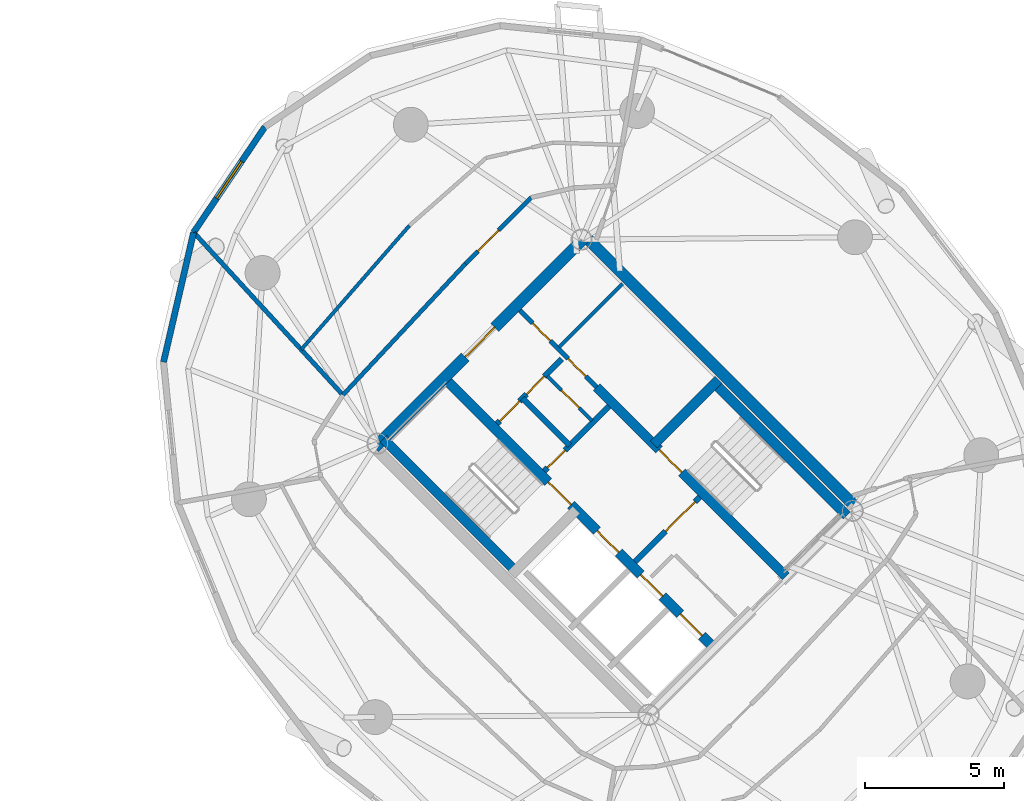
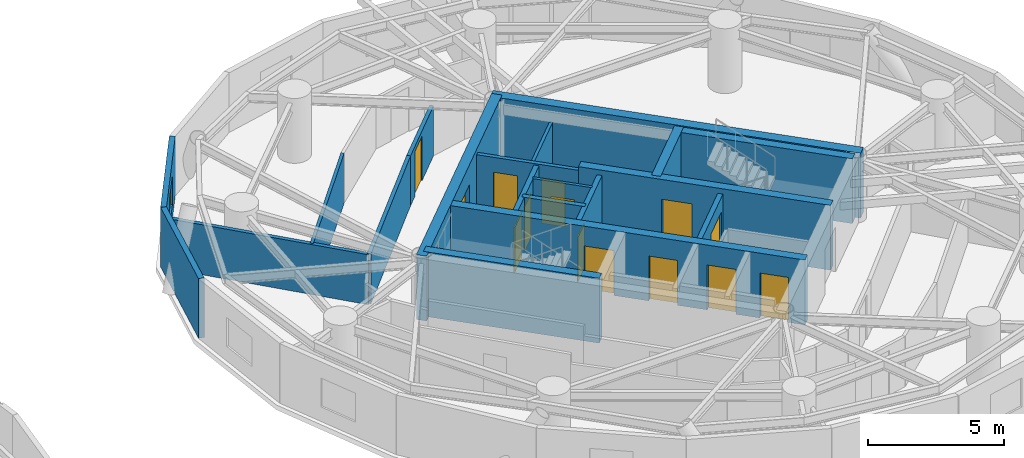
# One storey, part 13 of 17: 20 walls, 14 doors, 1 window, 15 openings.
"""IFC4 building model written with IfcOpenShell, lengths in metres."""

from ifc_helpers import new_model, si_unit, direction, frame, frame_2d, origin, place, context, subcontext, project, spatial, rectangle, extrude, source, transform, mapped, material, layer, layer_set, type_object, element, fill, save


model = new_model("IFC4")

# Units and contexts
model_context = context("Model", 3, precision=1e-05, world=origin(), true_north=direction((0.0, 1.0)))
body_context = subcontext(model_context, "Body", "Model", "MODEL_VIEW")
ifc_project = project(units=[si_unit("LENGTHUNIT", "METRE"), si_unit("AREAUNIT", "SQUARE_METRE"), si_unit("VOLUMEUNIT", "CUBIC_METRE"), si_unit("PLANEANGLEUNIT", "RADIAN"), si_unit("MASSUNIT", "GRAM", prefix="KILO")], contexts=[model_context])

# Site, building, storey
site_placement = place(None, origin())
site = spatial("IfcSite", under=ifc_project, at=site_placement, CompositionType="ELEMENT")
building_placement = place(site_placement, origin())
building = spatial("IfcBuilding", under=site, at=building_placement, Name="Cununo Teusaquillo Station Towers", CompositionType="ELEMENT")
storey_placement = place(building_placement, frame((0.0, 0.0, 166.14990234375)))
storey = spatial("IfcBuildingStorey", under=building, at=storey_placement, Name="L52", CompositionType="ELEMENT", Elevation=166.14990234375)

# Wall, openings, doors
ifc_material_1 = material(Name="Concrete C50/60", Category="concrete")
ifc_layer_1 = layer(ifc_material_1, 0.35009765625)
ifc_layer_set_1 = layer_set([ifc_layer_1], Name="Concrete C50/60")
wall_type_1 = type_object("IfcWallType", Name="WL-CORE-350", PredefinedType="SHEAR", material=ifc_layer_set_1)
wall_1_placement = place(storey_placement, frame((61.060302734375, 18.372802734375, 0.0), z_axis=(0.0, 0.0, 1.0), x_axis=(-0.707106781187, 0.707106781187, 0.0)))
wall_1 = element("IfcWall", 1, at=wall_1_placement, inside=storey, type_object=wall_type_1, Name="L52 Tower B Core Shear Wall IW", PredefinedType="SHEAR", context=body_context, shape_type="SweptSolid", body=[
    extrude(rectangle(XDim=13.7001953125, YDim=0.35009765625, at=frame_2d((6.85009765625, 0.0))), origin(), (0.0, 0.0, 1.0), 2.91015625),
])
shared_shape_1 = source(origin(), body_context, "Body", "SweptSolid", [
    extrude(rectangle(XDim=1.10009765625, YDim=2.014892578125, at=frame_2d((0.550048828125, 1.00732421875))), frame((0.0, 0.18505859375, 0.0), z_axis=(0.0, -1.0, 0.0), x_axis=(1.0, 0.0, 0.0)), (0.0, 0.0, 1.0), 0.3701171875),
])
opening_1_placement = place(wall_1_placement, frame((4.85009765625, 0.0, 0.0)))
opening_1 = element("IfcOpeningElement", 2, at=opening_1_placement, cuts=wall_1, Name="Opening LD-01", PredefinedType="OPENING", context=body_context, shape_type="MappedRepresentation", body=[
    mapped(shared_shape_1, transform((0.0, 0.0, 0.0), x_axis=(1.0, 0.0, 0.0), y_axis=(0.0, 1.0, 0.0), z_axis=(0.0, 0.0, 1.0), scale=1.0)),
])
opening_2_placement = place(wall_1_placement, frame((0.625, 0.0, 0.0)))
opening_2 = element("IfcOpeningElement", 3, at=opening_2_placement, cuts=wall_1, Name="Opening LD-01", PredefinedType="OPENING", context=body_context, shape_type="MappedRepresentation", body=[
    mapped(shared_shape_1, transform((0.0, 0.0, 0.0), x_axis=(1.0, 0.0, 0.0), y_axis=(0.0, 1.0, 0.0), z_axis=(0.0, 0.0, 1.0), scale=1.0)),
])
opening_3_placement = place(wall_1_placement, frame((2.625, 0.0, 0.0)))
opening_3 = element("IfcOpeningElement", 4, at=opening_3_placement, cuts=wall_1, Name="Opening LD-01", PredefinedType="OPENING", context=body_context, shape_type="MappedRepresentation", body=[
    mapped(shared_shape_1, transform((0.0, 0.0, 0.0), x_axis=(1.0, 0.0, 0.0), y_axis=(0.0, 1.0, 0.0), z_axis=(0.0, 0.0, 1.0), scale=1.0)),
])
shared_shape_2 = source(origin(), body_context, "Body", "SweptSolid", [
    extrude(rectangle(XDim=1.14990234375, YDim=2.02001953125, at=frame_2d((0.574951171875, 1.010009765625))), frame((0.0, 0.18505859375, 0.0), z_axis=(0.0, -1.0, 0.0), x_axis=(1.0, 0.0, 0.0)), (0.0, 0.0, 1.0), 0.3701171875),
])
opening_4_placement = place(wall_1_placement, frame((7.27001953125, 0.0, 0.0)))
opening_4 = element("IfcOpeningElement", 5, at=opening_4_placement, cuts=wall_1, Name="Opening D-ST1", PredefinedType="OPENING", context=body_context, shape_type="MappedRepresentation", body=[
    mapped(shared_shape_2, transform((0.0, 0.0, 0.0), x_axis=(1.0, 0.0, 0.0), y_axis=(0.0, 1.0, 0.0), z_axis=(0.0, 0.0, 1.0), scale=1.0)),
])
ifc_material_2 = material(Name="Galvanised fire-rated hollow steel door assembly", Category="steel")
door_type_1 = type_object("IfcDoorType", Name="DR-LIFT-1100", OperationType="SLIDING_TO_LEFT", PredefinedType="DOOR", material=ifc_material_2)
shared_shape_3 = source(origin(), body_context, "Body", "SweptSolid", [
    extrude(rectangle(XDim=1.10009765625, YDim=2.014892578125, at=frame_2d((0.550048828125, 1.00732421875))), frame((0.0, 0.02490234375, 0.0), z_axis=(0.0, -1.0, 0.0), x_axis=(1.0, 0.0, 0.0)), (0.0, 0.0, 1.0), 0.050048828125),
])
door_1_placement = place(opening_1_placement, origin())
door_1 = element("IfcDoor", 6, at=door_1_placement, inside=storey, type_object=door_type_1, Name="L52 Lift FL-T2 Sliding Landing Door", OperationType="SLIDING_TO_RIGHT", OverallHeight=2.014892578125, OverallWidth=1.10009765625, PredefinedType="DOOR", context=body_context, shape_type="MappedRepresentation", body=[
    mapped(shared_shape_3, transform((0.0, 0.0, 0.0), x_axis=(1.0, 0.0, 0.0), y_axis=(0.0, 1.0, 0.0), z_axis=(0.0, 0.0, 1.0), scale=1.0)),
])
fill(opening_1, door_1)
door_2_placement = place(opening_2_placement, origin())
door_2 = element("IfcDoor", 7, at=door_2_placement, inside=storey, type_object=door_type_1, Name="L52 Lift PL-T2-H1 Sliding Landing Door", OperationType="SLIDING_TO_LEFT", OverallHeight=2.014892578125, OverallWidth=1.10009765625, PredefinedType="DOOR", context=body_context, shape_type="MappedRepresentation", body=[
    mapped(shared_shape_3, transform((0.0, 0.0, 0.0), x_axis=(1.0, 0.0, 0.0), y_axis=(0.0, 1.0, 0.0), z_axis=(0.0, 0.0, 1.0), scale=1.0)),
])
fill(opening_2, door_2)
door_3_placement = place(opening_3_placement, origin())
door_3 = element("IfcDoor", 8, at=door_3_placement, inside=storey, type_object=door_type_1, Name="L52 Lift PL-T2-H2 Sliding Landing Door", OperationType="SLIDING_TO_RIGHT", OverallHeight=2.014892578125, OverallWidth=1.10009765625, PredefinedType="DOOR", context=body_context, shape_type="MappedRepresentation", body=[
    mapped(shared_shape_3, transform((0.0, 0.0, 0.0), x_axis=(1.0, 0.0, 0.0), y_axis=(0.0, 1.0, 0.0), z_axis=(0.0, 0.0, 1.0), scale=1.0)),
])
fill(opening_3, door_3)
ifc_material_3 = material(Name="Galvanised fire-rated hollow steel door assembly", Category="steel")
door_type_2 = type_object("IfcDoorType", Name="DR-STAIR-1150", OperationType="NOTDEFINED", PredefinedType="DOOR", material=ifc_material_3)
shared_shape_4 = source(origin(), body_context, "Body", "SweptSolid", [
    extrude(rectangle(XDim=1.14990234375, YDim=2.02001953125, at=frame_2d((0.574951171875, 1.010009765625))), frame((0.0, 0.02490234375, 0.0), z_axis=(0.0, -1.0, 0.0), x_axis=(1.0, 0.0, 0.0)), (0.0, 0.0, 1.0), 0.050048828125),
])
door_4_placement = place(opening_4_placement, origin())
door_4 = element("IfcDoor", 9, at=door_4_placement, inside=storey, type_object=door_type_2, Name="L52 Tower B Exit Stair 1 Fire Door", OperationType="SINGLE_SWING_LEFT", OverallHeight=2.02001953125, OverallWidth=1.14990234375, PredefinedType="DOOR", context=body_context, shape_type="MappedRepresentation", body=[
    mapped(shared_shape_4, transform((0.0, 0.0, 0.0), x_axis=(1.0, 0.0, 0.0), y_axis=(0.0, 1.0, 0.0), z_axis=(0.0, 0.0, 1.0), scale=1.0)),
])
fill(opening_4, door_4)

# Wall, opening, door
wall_2_placement = place(storey_placement, frame((63.627197265625, 20.939697265625, 0.0), z_axis=(0.0, 0.0, 1.0), x_axis=(-0.707119496762, 0.707094065383, 0.0)))
wall_2 = element("IfcWall", 10, at=wall_2_placement, inside=storey, type_object=wall_type_1, Name="L52 Tower B Core Shear Wall IE", PredefinedType="SHEAR", context=body_context, shape_type="SweptSolid", body=[
    extrude(rectangle(XDim=9.60009765625, YDim=0.35009765625, at=frame_2d((4.800048828125, 0.0))), origin(), (0.0, 0.0, 1.0), 2.91015625),
])
opening_5_placement = place(wall_2_placement, frame((5.280029296875, 0.0, 0.0)))
opening_5 = element("IfcOpeningElement", 11, at=opening_5_placement, cuts=wall_2, Name="Opening D-ST1", PredefinedType="OPENING", context=body_context, shape_type="MappedRepresentation", body=[
    mapped(shared_shape_2, transform((0.0, 0.0, 0.0), x_axis=(1.0, 0.0, 0.0), y_axis=(0.0, 1.0, 0.0), z_axis=(0.0, 0.0, 1.0), scale=1.0)),
])
door_5_placement = place(opening_5_placement, origin())
door_5 = element("IfcDoor", 12, at=door_5_placement, inside=storey, type_object=door_type_2, Name="L52 Tower B Exit Stair 2 Fire Door", OperationType="SINGLE_SWING_RIGHT", OverallHeight=2.02001953125, OverallWidth=1.14990234375, PredefinedType="DOOR", context=body_context, shape_type="MappedRepresentation", body=[
    mapped(shared_shape_4, transform((0.0, 0.0, 0.0), x_axis=(1.0, 0.0, 0.0), y_axis=(0.0, 1.0, 0.0), z_axis=(0.0, 0.0, 1.0), scale=1.0)),
])
fill(opening_5, door_5)

# Walls
for number, where, z_axis, x_axis, name in (
    (13, (53.922119140625, 21.14111328125, 0.0), (0.0, 0.0, 1.0), (-0.707106781187, 0.707106781187, 0.0), "L52 Tower B Core Shear Wall ST1W"),
    (14, (65.81201171875, 23.124755859375, 0.0), (0.0, 0.0, 1.0), (-0.707106781187, 0.707106781187, 0.0), "L52 Tower B Core Shear Wall ST2E"),
):
    element("IfcWall", number, at=place(storey_placement, frame(where, z_axis=z_axis, x_axis=x_axis)), inside=storey, type_object=wall_type_1, Name=name, PredefinedType="SHEAR", context=body_context, shape_type="SweptSolid", body=[
        extrude(rectangle(XDim=6.695068359375, YDim=0.35009765625, at=frame_2d((3.34765625, 0.0))), origin(), (0.0, 0.0, 1.0), 2.91015625),
    ])
wall_3_placement = place(storey_placement, frame((58.89306640625, 25.673828125, 0.0), z_axis=(0.0, 0.0, 1.0), x_axis=(0.707106781187, 0.707106781187, 0.0)))
element("IfcWall", 15, at=wall_3_placement, inside=storey, type_object=wall_type_1, Name="L52 Tower B Core Shear Wall ST2N", PredefinedType="SHEAR", context=body_context, shape_type="SweptSolid", body=[
    extrude(rectangle(XDim=3.284912109375, YDim=0.35009765625, at=frame_2d((1.642578125, 0.0))), origin(), (0.0, 0.0, 1.0), 2.91015625),
])
ifc_material_4 = material(Name="Concrete C50/60", Category="concrete")
ifc_layer_2 = layer(ifc_material_4, 0.39990234375)
ifc_layer_set_2 = layer_set([ifc_layer_2], Name="Concrete C50/60")
wall_type_2 = type_object("IfcWallType", Name="WL-CORE-400", PredefinedType="SHEAR", material=ifc_layer_set_2)
wall_4_placement = place(storey_placement, frame((66.26806640625, 23.2978515625, 0.0), z_axis=(0.0, 0.0, 1.0), x_axis=(-0.707106781187, 0.707106781187, 0.0)))
element("IfcWall", 16, at=wall_4_placement, inside=storey, type_object=wall_type_2, Name="L52 Tower B Core Shear Wall E", PredefinedType="SHEAR", context=body_context, shape_type="SweptSolid", body=[
    extrude(rectangle(XDim=14.10009765625, YDim=0.39990234375, at=frame_2d((7.050048828125, 0.0))), origin(), (0.0, 0.0, 1.0), 2.91015625),
])

# Wall, opening, door
wall_5_placement = place(storey_placement, frame((48.873291015625, 25.560791015625, 0.0), z_axis=(0.0, 0.0, 1.0), x_axis=(0.707106781187, 0.707106781187, 0.0)))
wall_5 = element("IfcWall", 17, at=wall_5_placement, inside=storey, type_object=wall_type_2, Name="L52 Tower B Core Shear Wall N", PredefinedType="SHEAR", context=body_context, shape_type="SweptSolid", body=[
    extrude(rectangle(XDim=10.69970703125, YDim=0.39990234375, at=frame_2d((5.349853515625, 0.0))), origin(), (0.0, 0.0, 1.0), 2.91015625),
])
shared_shape_5 = source(origin(), body_context, "Body", "SweptSolid", [
    extrude(rectangle(XDim=1.5, YDim=2.02001953125, at=frame_2d((0.75, 1.010009765625))), frame((0.0, 0.2099609375, 0.0), z_axis=(0.0, -1.0, 0.0), x_axis=(1.0, 0.0, 0.0)), (0.0, 0.0, 1.0), 0.419921875),
])
opening_6_placement = place(wall_5_placement, frame((4.60009765625, 0.0, 0.0)))
opening_6 = element("IfcOpeningElement", 18, at=opening_6_placement, cuts=wall_5, Name="Opening D-LB1", PredefinedType="OPENING", context=body_context, shape_type="MappedRepresentation", body=[
    mapped(shared_shape_5, transform((0.0, 0.0, 0.0), x_axis=(1.0, 0.0, 0.0), y_axis=(0.0, 1.0, 0.0), z_axis=(0.0, 0.0, 1.0), scale=1.0)),
])
ifc_material_5 = material(Name="Galvanised fire-rated hollow steel door assembly", Category="steel")
door_type_3 = type_object("IfcDoorType", Name="DR-LOBBY-1500", OperationType="DOUBLE_DOOR_SINGLE_SWING", PredefinedType="DOOR", material=ifc_material_5)
shared_shape_6 = source(origin(), body_context, "Body", "SweptSolid", [
    extrude(rectangle(XDim=1.5, YDim=2.02001953125, at=frame_2d((0.75, 1.010009765625))), frame((0.0, 0.02490234375, 0.0), z_axis=(0.0, -1.0, 0.0), x_axis=(1.0, 0.0, 0.0)), (0.0, 0.0, 1.0), 0.050048828125),
])
door_6_placement = place(opening_6_placement, origin())
door_6 = element("IfcDoor", 19, at=door_6_placement, inside=storey, type_object=door_type_3, Name="L52 Tower B North Core Lift Lobby Door", OperationType="DOUBLE_DOOR_SINGLE_SWING", OverallHeight=2.02001953125, OverallWidth=1.5, PredefinedType="DOOR", context=body_context, shape_type="MappedRepresentation", body=[
    mapped(shared_shape_6, transform((0.0, 0.0, 0.0), x_axis=(1.0, 0.0, 0.0), y_axis=(0.0, 1.0, 0.0), z_axis=(0.0, 0.0, 1.0), scale=1.0)),
])
fill(opening_6, door_6)

# Wall, opening, window
ifc_material_6 = material(Name="Precast concrete C40/50", Category="concrete")
ifc_layer_3 = layer(ifc_material_6, 0.219970703125)
ifc_layer_set_3 = layer_set([ifc_layer_3], Name="Precast concrete C40/50")
wall_type_3 = type_object("IfcWallType", Name="WL-EXT-220", PredefinedType="SOLIDWALL", material=ifc_layer_set_3)
wall_6_placement = place(storey_placement, frame((42.3779296875, 33.27880859375, 0.0), z_axis=(0.0, 0.0, 1.0), x_axis=(0.559635286042, 0.828739009952, 0.0)))
wall_6 = element("IfcWall", 20, at=wall_6_placement, inside=storey, type_object=wall_type_3, Name="L52 Tower B Exterior Facade Wall C05", PredefinedType="SOLIDWALL", context=body_context, shape_type="SweptSolid", body=[
    extrude(rectangle(XDim=4.56884765625, YDim=0.219970703125, at=frame_2d((2.284423828125, 0.0))), origin(), (0.0, 0.0, 1.0), 2.675048828125),
])
shared_shape_7 = source(origin(), body_context, "Body", "SweptSolid", [
    extrude(rectangle(XDim=1.60009765625, YDim=1.300048828125, at=frame_2d((0.800048828125, 0.64990234375))), frame((0.0, 0.119873046875, 0.0), z_axis=(0.0, -1.0, 0.0), x_axis=(1.0, 0.0, 0.0)), (0.0, 0.0, 1.0), 0.239990234375),
])
opening_7_placement = place(wall_6_placement, frame((1.48388671875, 0.0, 0.64990234375)))
opening_7 = element("IfcOpeningElement", 21, at=opening_7_placement, cuts=wall_6, Name="Opening WN-03", PredefinedType="OPENING", context=body_context, shape_type="MappedRepresentation", body=[
    mapped(shared_shape_7, transform((0.0, 0.0, 0.0), x_axis=(1.0, 0.0, 0.0), y_axis=(0.0, 1.0, 0.0), z_axis=(0.0, 0.0, 1.0), scale=1.0)),
])
ifc_material_7 = material(Name="Ceramic-fritted dark low-E double glazing", Category="glass")
window_type = type_object("IfcWindowType", Name="WIN-CORN-1600", PartitioningType="SINGLE_PANEL", PredefinedType="WINDOW", material=ifc_material_7)
shared_shape_8 = source(origin(), body_context, "Body", "SweptSolid", [
    extrude(rectangle(XDim=1.60009765625, YDim=1.300048828125, at=frame_2d((0.800048828125, 0.64990234375))), frame((0.0, 0.030029296875, 0.0), z_axis=(0.0, -1.0, 0.0), x_axis=(1.0, 0.0, 0.0)), (0.0, 0.0, 1.0), 0.06005859375),
])
window_placement = place(opening_7_placement, origin())
window = element("IfcWindow", 22, at=window_placement, inside=storey, type_object=window_type, Name="L52 Tower B Facade Window C05", OverallHeight=1.300048828125, OverallWidth=1.60009765625, PartitioningType="SINGLE_PANEL", PredefinedType="WINDOW", context=body_context, shape_type="MappedRepresentation", body=[
    mapped(shared_shape_8, transform((0.0, 0.0, 0.0), x_axis=(1.0, 0.0, 0.0), y_axis=(0.0, 1.0, 0.0), z_axis=(0.0, 0.0, 1.0), scale=1.0)),
])
fill(opening_7, window)

# Wall
wall_7_placement = place(storey_placement, frame((41.3017578125, 28.6328125, 0.0), z_axis=(0.0, 0.0, 1.0), x_axis=(0.225659540039, 0.974206226622, 0.0)))
element("IfcWall", 23, at=wall_7_placement, inside=storey, type_object=wall_type_3, Name="L52 Tower B Exterior Facade Wall C06", PredefinedType="SOLIDWALL", context=body_context, shape_type="SweptSolid", body=[
    extrude(rectangle(XDim=4.76904296875, YDim=0.219970703125, at=frame_2d((2.384521484375, 0.0))), origin(), (0.0, 0.0, 1.0), 2.675048828125),
])

# Wall, opening, door
ifc_material_8 = material(Name="Fire-rated gypsum plasterboard partition assembly", Category="gypsum")
ifc_layer_4 = layer(ifc_material_8, 0.125)
ifc_layer_set_4 = layer_set([ifc_layer_4], Name="Fire-rated gypsum plasterboard partition assembly")
wall_type_4 = type_object("IfcWallType", Name="WL-PART-125", PredefinedType="PARTITIONING", material=ifc_layer_set_4)
wall_8_placement = place(storey_placement, frame((56.672607421875, 26.529296875, 0.0), z_axis=(0.0, 0.0, 1.0), x_axis=(-0.707052764397, 0.70716079385, 0.0)))
wall_8 = element("IfcWall", 24, at=wall_8_placement, inside=storey, type_object=wall_type_4, Name="L52 Tower B Core Vertical Split Wall", PredefinedType="PARTITIONING", context=body_context, shape_type="SweptSolid", body=[
    extrude(rectangle(XDim=2.260009765625, YDim=0.125, at=frame_2d((1.1298828125, 0.0))), origin(), (0.0, 0.0, 1.0), 2.675048828125),
])
shared_shape_9 = source(origin(), body_context, "Body", "SweptSolid", [
    extrude(rectangle(XDim=0.89990234375, YDim=2.0048828125, at=frame_2d((0.449951171875, 1.00244140625))), frame((0.0, 0.072509765625, 0.0), z_axis=(0.0, -1.0, 0.0), x_axis=(1.0, 0.0, 0.0)), (0.0, 0.0, 1.0), 0.14501953125),
])
opening_8_placement = place(wall_8_placement, frame((0.64990234375, 0.0, 0.0)))
opening_8 = element("IfcOpeningElement", 25, at=opening_8_placement, cuts=wall_8, Name="Opening D-SR1", PredefinedType="OPENING", context=body_context, shape_type="MappedRepresentation", body=[
    mapped(shared_shape_9, transform((0.0, 0.0, 0.0), x_axis=(1.0, 0.0, 0.0), y_axis=(0.0, 1.0, 0.0), z_axis=(0.0, 0.0, 1.0), scale=1.0)),
])
ifc_material_9 = material(Name="Galvanised fire-rated hollow steel door assembly", Category="steel")
door_type_4 = type_object("IfcDoorType", Name="DR-STORE-900", OperationType="NOTDEFINED", PredefinedType="DOOR", material=ifc_material_9)
shared_shape_10 = source(origin(), body_context, "Body", "SweptSolid", [
    extrude(rectangle(XDim=0.89990234375, YDim=2.0048828125, at=frame_2d((0.449951171875, 1.00244140625))), frame((0.0, 0.02490234375, 0.0), z_axis=(0.0, -1.0, 0.0), x_axis=(1.0, 0.0, 0.0)), (0.0, 0.0, 1.0), 0.050048828125),
])
door_7_placement = place(opening_8_placement, origin())
door_7 = element("IfcDoor", 26, at=door_7_placement, inside=storey, type_object=door_type_4, Name="L52 Tower B Core Electrical Room Door", OperationType="SINGLE_SWING_LEFT", OverallHeight=2.0048828125, OverallWidth=0.89990234375, PredefinedType="DOOR", context=body_context, shape_type="MappedRepresentation", body=[
    mapped(shared_shape_10, transform((0.0, 0.0, 0.0), x_axis=(1.0, 0.0, 0.0), y_axis=(0.0, 1.0, 0.0), z_axis=(0.0, 0.0, 1.0), scale=1.0)),
])
fill(opening_8, door_7)

# Walls
wall_9_placement = place(storey_placement, frame((55.49169921875, 29.1669921875, 0.0), z_axis=(0.0, 0.0, 1.0), x_axis=(0.707144688645, 0.707068871696, 0.0)))
element("IfcWall", 27, at=wall_9_placement, inside=storey, type_object=wall_type_4, Name="L52 Tower B Reclaimed Bay Divider Wall", PredefinedType="PARTITIONING", context=body_context, shape_type="SweptSolid", body=[
    extrude(rectangle(XDim=3.22021484375, YDim=0.125, at=frame_2d((1.610107421875, 0.0))), origin(), (0.0, 0.0, 1.0), 2.212158203125),
])
wall_10_placement = place(storey_placement, frame((50.123046875, 33.529052734375, 0.0), z_axis=(0.0, 0.0, 1.0), x_axis=(-0.657371249324, -0.753566878626, 0.0)))
element("IfcWall", 28, at=wall_10_placement, inside=storey, type_object=wall_type_4, Name="L52 Tower B High-Zone Club Reading & Dining Hall Concentric Partition Wall C05", PredefinedType="PARTITIONING", context=body_context, shape_type="SweptSolid", body=[
    extrude(rectangle(XDim=5.90576171875, YDim=0.125, at=frame_2d((2.952880859375, 0.0))), origin(), (0.0, 0.0, 1.0), 2.2451171875),
])

# Wall, opening, door
ifc_material_10 = material(Name="Fire-rated gypsum plasterboard partition assembly", Category="gypsum")
ifc_layer_5 = layer(ifc_material_10, 0.14990234375)
ifc_layer_set_5 = layer_set([ifc_layer_5], Name="Fire-rated gypsum plasterboard partition assembly")
wall_type_5 = type_object("IfcWallType", Name="WL-PART-150", PredefinedType="PARTITIONING", material=ifc_layer_set_5)
wall_11_placement = place(storey_placement, frame((54.48779296875, 34.534912109375, 0.0), z_axis=(0.0, 0.0, 1.0), x_axis=(-0.703666289339, -0.710530613871, 0.0)))
wall_11 = element("IfcWall", 29, at=wall_11_placement, inside=storey, type_object=wall_type_5, Name="L52 Tower B Corridor Ring Wall C04", PredefinedType="PARTITIONING", context=body_context, shape_type="SweptSolid", body=[
    extrude(rectangle(XDim=3.34326171875, YDim=0.14990234375, at=frame_2d((1.671630859375, 0.0))), origin(), (0.0, 0.0, 1.0), 2.2451171875),
])
shared_shape_11 = source(origin(), body_context, "Body", "SweptSolid", [
    extrude(rectangle(XDim=1.050048828125, YDim=2.014892578125, at=frame_2d((0.52490234375, 1.00732421875))), frame((0.0, 0.0849609375, 0.0), z_axis=(0.0, -1.0, 0.0), x_axis=(1.0, 0.0, 0.0)), (0.0, 0.0, 1.0), 0.169921875),
])
opening_9_placement = place(wall_11_placement, frame((1.659912109375, 0.0, 0.0)))
opening_9 = element("IfcOpeningElement", 30, at=opening_9_placement, cuts=wall_11, Name="Opening D-SU1", PredefinedType="OPENING", context=body_context, shape_type="MappedRepresentation", body=[
    mapped(shared_shape_11, transform((0.0, 0.0, 0.0), x_axis=(1.0, 0.0, 0.0), y_axis=(0.0, 1.0, 0.0), z_axis=(0.0, 0.0, 1.0), scale=1.0)),
])
ifc_material_11 = material(Name="Acoustic solid-core hardwood leaf assembly", Category="wood")
door_type_5 = type_object("IfcDoorType", Name="DR-SUITE-1050", OperationType="NOTDEFINED", PredefinedType="DOOR", material=ifc_material_11)
shared_shape_12 = source(origin(), body_context, "Body", "SweptSolid", [
    extrude(rectangle(XDim=1.050048828125, YDim=2.014892578125, at=frame_2d((0.52490234375, 1.00732421875))), frame((0.0, 0.02490234375, 0.0), z_axis=(0.0, -1.0, 0.0), x_axis=(1.0, 0.0, 0.0)), (0.0, 0.0, 1.0), 0.050048828125),
])
door_8_placement = place(opening_9_placement, origin())
door_8 = element("IfcDoor", 31, at=door_8_placement, inside=storey, type_object=door_type_5, Name="L52 Tower B High-Zone Club Reading & Dining Hall Entrance Door", OperationType="SINGLE_SWING_RIGHT", OverallHeight=2.014892578125, OverallWidth=1.050048828125, PredefinedType="DOOR", context=body_context, shape_type="MappedRepresentation", body=[
    mapped(shared_shape_12, transform((0.0, 0.0, 0.0), x_axis=(1.0, 0.0, 0.0), y_axis=(0.0, 1.0, 0.0), z_axis=(0.0, 0.0, 1.0), scale=1.0)),
])
fill(opening_9, door_8)

# Wall
wall_12_placement = place(storey_placement, frame((52.13525390625, 32.159423828125, 0.0), z_axis=(0.0, 0.0, 1.0), x_axis=(-0.682546302454, -0.730842353047, 0.0)))
element("IfcWall", 32, at=wall_12_placement, inside=storey, type_object=wall_type_5, Name="L52 Tower B Corridor Ring Wall C05", PredefinedType="PARTITIONING", context=body_context, shape_type="SweptSolid", body=[
    extrude(rectangle(XDim=6.4453125, YDim=0.14990234375, at=frame_2d((3.22265625, 0.0))), origin(), (0.0, 0.0, 1.0), 2.2451171875),
])

# Wall, openings, doors
ifc_material_12 = material(Name="Fire-rated gypsum plasterboard partition assembly", Category="gypsum")
ifc_layer_6 = layer(ifc_material_12, 0.159912109375)
ifc_layer_set_6 = layer_set([ifc_layer_6], Name="Fire-rated gypsum plasterboard partition assembly")
wall_type_6 = type_object("IfcWallType", Name="WL-PART-160", PredefinedType="PARTITIONING", material=ifc_layer_set_6)
wall_13_placement = place(storey_placement, frame((56.8388671875, 27.727783203125, 0.0), z_axis=(0.0, 0.0, 1.0), x_axis=(-0.707106781187, 0.707106781187, 0.0)))
wall_13 = element("IfcWall", 33, at=wall_13_placement, inside=storey, type_object=wall_type_6, Name="L52 Tower B Reclaimed Core Bay Entry Wall", PredefinedType="PARTITIONING", context=body_context, shape_type="SweptSolid", body=[
    extrude(rectangle(XDim=3.900146484375, YDim=0.159912109375, at=frame_2d((1.9501953125, 0.0))), origin(), (0.0, 0.0, 1.0), 2.675048828125),
])
shared_shape_13 = source(origin(), body_context, "Body", "SweptSolid", [
    extrude(rectangle(XDim=0.89990234375, YDim=2.0048828125, at=frame_2d((0.449951171875, 1.00244140625))), frame((0.0, 0.08984375, 0.0), z_axis=(0.0, -1.0, 0.0), x_axis=(1.0, 0.0, 0.0)), (0.0, 0.0, 1.0), 0.179931640625),
])
opening_10_placement = place(wall_13_placement, frame((0.550048828125, 0.0, 0.0)))
opening_10 = element("IfcOpeningElement", 34, at=opening_10_placement, cuts=wall_13, Name="Opening D-IN1", PredefinedType="OPENING", context=body_context, shape_type="MappedRepresentation", body=[
    mapped(shared_shape_13, transform((0.0, 0.0, 0.0), x_axis=(1.0, 0.0, 0.0), y_axis=(0.0, 1.0, 0.0), z_axis=(0.0, 0.0, 1.0), scale=1.0)),
])
opening_11_placement = place(wall_13_placement, frame((2.35009765625, 0.0, 0.0)))
opening_11 = element("IfcOpeningElement", 35, at=opening_11_placement, cuts=wall_13, Name="Opening D-IN1", PredefinedType="OPENING", context=body_context, shape_type="MappedRepresentation", body=[
    mapped(shared_shape_13, transform((0.0, 0.0, 0.0), x_axis=(1.0, 0.0, 0.0), y_axis=(0.0, 1.0, 0.0), z_axis=(0.0, 0.0, 1.0), scale=1.0)),
])
ifc_material_13 = material(Name="Acoustic solid-core hardwood leaf assembly", Category="wood")
door_type_6 = type_object("IfcDoorType", Name="DR-INT-900", OperationType="NOTDEFINED", PredefinedType="DOOR", material=ifc_material_13)
door_9_placement = place(opening_10_placement, origin())
door_9 = element("IfcDoor", 36, at=door_9_placement, inside=storey, type_object=door_type_6, Name="L52 Tower B Reclaimed Core Study Door", OperationType="SINGLE_SWING_RIGHT", OverallHeight=2.0048828125, OverallWidth=0.89990234375, PredefinedType="DOOR", context=body_context, shape_type="MappedRepresentation", body=[
    mapped(shared_shape_10, transform((0.0, 0.0, 0.0), x_axis=(1.0, 0.0, 0.0), y_axis=(0.0, 1.0, 0.0), z_axis=(0.0, 0.0, 1.0), scale=1.0)),
])
fill(opening_10, door_9)
door_10_placement = place(opening_11_placement, origin())
door_10 = element("IfcDoor", 37, at=door_10_placement, inside=storey, type_object=door_type_6, Name="L52 Tower B Reclaimed Core Pantry Door", OperationType="SINGLE_SWING_LEFT", OverallHeight=2.0048828125, OverallWidth=0.89990234375, PredefinedType="DOOR", context=body_context, shape_type="MappedRepresentation", body=[
    mapped(shared_shape_10, transform((0.0, 0.0, 0.0), x_axis=(1.0, 0.0, 0.0), y_axis=(0.0, 1.0, 0.0), z_axis=(0.0, 0.0, 1.0), scale=1.0)),
])
fill(opening_11, door_10)

# Wall
wall_14_placement = place(storey_placement, frame((47.736083984375, 27.448974609375, 0.0), z_axis=(0.0, 0.0, 1.0), x_axis=(-0.676056254668, 0.736850012231, 0.0)))
element("IfcWall", 38, at=wall_14_placement, inside=storey, type_object=wall_type_6, Name="L52 Tower B Radial Suite Partition R02", PredefinedType="PARTITIONING", context=body_context, shape_type="SweptSolid", body=[
    extrude(rectangle(XDim=7.899169921875, YDim=0.159912109375, at=frame_2d((3.94970703125, 0.0))), origin(), (0.0, 0.0, 1.0), 2.2451171875),
])

# Wall, opening, door
ifc_material_14 = material(Name="Fire-rated gypsum plasterboard partition assembly", Category="gypsum")
ifc_layer_7 = layer(ifc_material_14, 0.199951171875)
ifc_layer_set_7 = layer_set([ifc_layer_7], Name="Fire-rated gypsum plasterboard partition assembly")
wall_type_7 = type_object("IfcWallType", Name="WL-PART-200", PredefinedType="PARTITIONING", material=ifc_layer_set_7)
wall_15_placement = place(storey_placement, frame((58.214111328125, 21.466552734375, 0.0), z_axis=(0.0, 0.0, 1.0), x_axis=(0.707106781187, 0.707106781187, 0.0)))
wall_15 = element("IfcWall", 39, at=wall_15_placement, inside=storey, type_object=wall_type_7, Name="L52 Tower B Firefighting Lift Lobby South Fire Wall", PredefinedType="PARTITIONING", context=body_context, shape_type="SweptSolid", body=[
    extrude(rectangle(XDim=3.280029296875, YDim=0.199951171875, at=frame_2d((1.64013671875, 0.0))), origin(), (0.0, 0.0, 1.0), 2.675048828125),
])
shared_shape_14 = source(origin(), body_context, "Body", "SweptSolid", [
    extrude(rectangle(XDim=1.5, YDim=2.02001953125, at=frame_2d((0.75, 1.010009765625))), frame((0.0, 0.10986328125, 0.0), z_axis=(0.0, -1.0, 0.0), x_axis=(1.0, 0.0, 0.0)), (0.0, 0.0, 1.0), 0.219970703125),
])
opening_12_placement = place(wall_15_placement, frame((1.550048828125, 0.0, 0.0)))
opening_12 = element("IfcOpeningElement", 40, at=opening_12_placement, cuts=wall_15, Name="Opening D-LB1", PredefinedType="OPENING", context=body_context, shape_type="MappedRepresentation", body=[
    mapped(shared_shape_14, transform((0.0, 0.0, 0.0), x_axis=(1.0, 0.0, 0.0), y_axis=(0.0, 1.0, 0.0), z_axis=(0.0, 0.0, 1.0), scale=1.0)),
])
door_11_placement = place(opening_12_placement, origin())
door_11 = element("IfcDoor", 41, at=door_11_placement, inside=storey, type_object=door_type_3, Name="L52 Tower B Firefighting Lift Lobby South Fire Door", OperationType="DOUBLE_DOOR_SINGLE_SWING", OverallHeight=2.02001953125, OverallWidth=1.5, PredefinedType="DOOR", context=body_context, shape_type="MappedRepresentation", body=[
    mapped(shared_shape_6, transform((0.0, 0.0, 0.0), x_axis=(1.0, 0.0, 0.0), y_axis=(0.0, 1.0, 0.0), z_axis=(0.0, 0.0, 1.0), scale=1.0)),
])
fill(opening_12, door_11)

wall_16_placement = place(storey_placement, frame((54.96142578125, 24.71923828125, 0.0), z_axis=(0.0, 0.0, 1.0), x_axis=(0.707106781187, 0.707106781187, 0.0)))
wall_16 = element("IfcWall", 42, at=wall_16_placement, inside=storey, type_object=wall_type_7, Name="L52 Tower B Firefighting Lift Lobby North Fire Wall", PredefinedType="PARTITIONING", context=body_context, shape_type="SweptSolid", body=[
    extrude(rectangle(XDim=3.280029296875, YDim=0.199951171875, at=frame_2d((1.64013671875, 0.0))), origin(), (0.0, 0.0, 1.0), 2.675048828125),
])
shared_shape_15 = source(origin(), body_context, "Body", "SweptSolid", [
    extrude(rectangle(XDim=0.89990234375, YDim=2.0048828125, at=frame_2d((0.449951171875, 1.00244140625))), frame((0.0, 0.10986328125, 0.0), z_axis=(0.0, -1.0, 0.0), x_axis=(1.0, 0.0, 0.0)), (0.0, 0.0, 1.0), 0.219970703125),
])
opening_13_placement = place(wall_16_placement, frame((0.159912109375, 0.0, 0.0)))
opening_13 = element("IfcOpeningElement", 43, at=opening_13_placement, cuts=wall_16, Name="Opening D-SR1", PredefinedType="OPENING", context=body_context, shape_type="MappedRepresentation", body=[
    mapped(shared_shape_15, transform((0.0, 0.0, 0.0), x_axis=(1.0, 0.0, 0.0), y_axis=(0.0, 1.0, 0.0), z_axis=(0.0, 0.0, 1.0), scale=1.0)),
])
door_12_placement = place(opening_13_placement, origin())
door_12 = element("IfcDoor", 44, at=door_12_placement, inside=storey, type_object=door_type_4, Name="L52 Tower B Stair 1 Protected Vestibule South Door", OperationType="SINGLE_SWING_LEFT", OverallHeight=2.0048828125, OverallWidth=0.89990234375, PredefinedType="DOOR", context=body_context, shape_type="MappedRepresentation", body=[
    mapped(shared_shape_10, transform((0.0, 0.0, 0.0), x_axis=(1.0, 0.0, 0.0), y_axis=(0.0, 1.0, 0.0), z_axis=(0.0, 0.0, 1.0), scale=1.0)),
])
fill(opening_13, door_12)

# Wall
wall_17_placement = place(storey_placement, frame((55.873779296875, 25.63134765625, 0.0), z_axis=(0.0, 0.0, 1.0), x_axis=(-0.707157639372, 0.707055919343, 0.0)))
element("IfcWall", 45, at=wall_17_placement, inside=storey, type_object=wall_type_7, Name="L52 Tower B Stair 1 Vestibule Partition Wall", PredefinedType="PARTITIONING", context=body_context, shape_type="SweptSolid", body=[
    extrude(rectangle(XDim=2.400146484375, YDim=0.199951171875, at=frame_2d((1.2001953125, 0.0))), origin(), (0.0, 0.0, 1.0), 2.675048828125),
])

# Wall, openings, doors
wall_18_placement = place(storey_placement, frame((53.264404296875, 26.416259765625, 0.0), z_axis=(0.0, 0.0, 1.0), x_axis=(0.707106781187, 0.707106781187, 0.0)))
wall_18 = element("IfcWall", 46, at=wall_18_placement, inside=storey, type_object=wall_type_7, Name="L52 Tower B North Lift Lobby South Fire Wall", PredefinedType="PARTITIONING", context=body_context, shape_type="SweptSolid", body=[
    extrude(rectangle(XDim=3.280029296875, YDim=0.199951171875, at=frame_2d((1.64013671875, 0.0))), origin(), (0.0, 0.0, 1.0), 2.675048828125),
])
shared_shape_16 = source(origin(), body_context, "Body", "SweptSolid", [
    extrude(rectangle(XDim=1.0, YDim=2.014892578125, at=frame_2d((0.5, 1.00732421875))), frame((0.0, 0.10986328125, 0.0), z_axis=(0.0, -1.0, 0.0), x_axis=(1.0, 0.0, 0.0)), (0.0, 0.0, 1.0), 0.219970703125),
])
opening_14_placement = place(wall_18_placement, frame((0.139892578125, 0.0, 0.0)))
opening_14 = element("IfcOpeningElement", 47, at=opening_14_placement, cuts=wall_18, Name="Opening D-AC1", PredefinedType="OPENING", context=body_context, shape_type="MappedRepresentation", body=[
    mapped(shared_shape_16, transform((0.0, 0.0, 0.0), x_axis=(1.0, 0.0, 0.0), y_axis=(0.0, 1.0, 0.0), z_axis=(0.0, 0.0, 1.0), scale=1.0)),
])
opening_15_placement = place(wall_18_placement, frame((1.5, 0.0, 0.0)))
opening_15 = element("IfcOpeningElement", 48, at=opening_15_placement, cuts=wall_18, Name="Opening D-SR1", PredefinedType="OPENING", context=body_context, shape_type="MappedRepresentation", body=[
    mapped(shared_shape_15, transform((0.0, 0.0, 0.0), x_axis=(1.0, 0.0, 0.0), y_axis=(0.0, 1.0, 0.0), z_axis=(0.0, 0.0, 1.0), scale=1.0)),
])
door_13_placement = place(opening_15_placement, origin())
door_13 = element("IfcDoor", 49, at=door_13_placement, inside=storey, type_object=door_type_4, Name="L52 Tower B Core Housekeeping Store Door", OperationType="SINGLE_SWING_RIGHT", OverallHeight=2.0048828125, OverallWidth=0.89990234375, PredefinedType="DOOR", context=body_context, shape_type="MappedRepresentation", body=[
    mapped(shared_shape_10, transform((0.0, 0.0, 0.0), x_axis=(1.0, 0.0, 0.0), y_axis=(0.0, 1.0, 0.0), z_axis=(0.0, 0.0, 1.0), scale=1.0)),
])
fill(opening_15, door_13)
ifc_material_15 = material(Name="Acoustic solid-core hardwood leaf assembly", Category="wood")
door_type_7 = type_object("IfcDoorType", Name="DR-ACC-1000", OperationType="NOTDEFINED", PredefinedType="DOOR", material=ifc_material_15)
shared_shape_17 = source(origin(), body_context, "Body", "SweptSolid", [
    extrude(rectangle(XDim=1.0, YDim=2.014892578125, at=frame_2d((0.5, 1.00732421875))), frame((0.0, 0.02490234375, 0.0), z_axis=(0.0, -1.0, 0.0), x_axis=(1.0, 0.0, 0.0)), (0.0, 0.0, 1.0), 0.050048828125),
])
door_14_placement = place(opening_14_placement, origin())
door_14 = element("IfcDoor", 50, at=door_14_placement, inside=storey, type_object=door_type_7, Name="L52 Tower B North Lift Lobby to Stair 1 Vestibule Door", OperationType="SINGLE_SWING_RIGHT", OverallHeight=2.014892578125, OverallWidth=1.0, PredefinedType="DOOR", context=body_context, shape_type="MappedRepresentation", body=[
    mapped(shared_shape_17, transform((0.0, 0.0, 0.0), x_axis=(1.0, 0.0, 0.0), y_axis=(0.0, 1.0, 0.0), z_axis=(0.0, 0.0, 1.0), scale=1.0)),
])
fill(opening_14, door_14)

save(model, "model.ifc")
